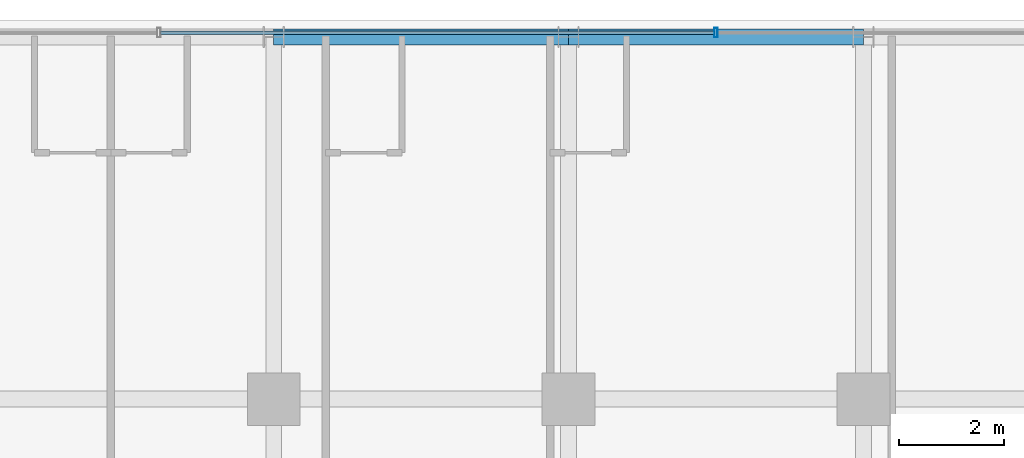
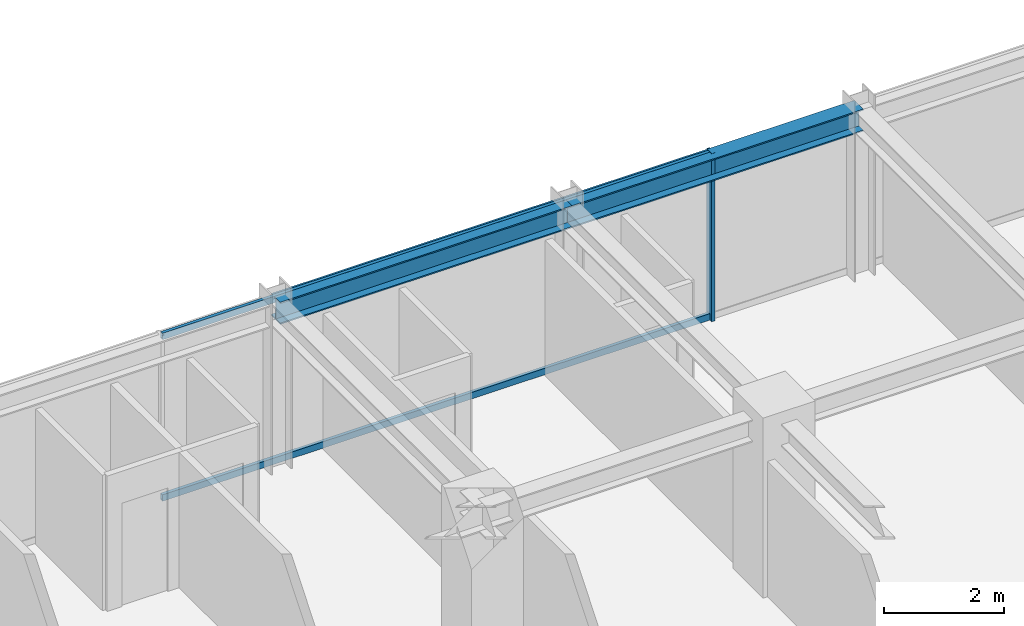
# One storey, part 21 of 34: 3 members, 2 beams, 1 element without a shape of its own.
"""IFC4 building model written with IfcOpenShell, lengths in metres."""

from ifc_helpers import new_model, si_unit, direction, frame, origin, origin_2d, place, context, subcontext, project, spatial, hollow_rectangle, i_section, extrude, source, transform, mapped, material, material_profile, profile_set, type_object, element, aggregate, save


model = new_model("IFC4")

# Units and contexts
model_context = context("Model", 3, precision=1e-05, world=origin(), true_north=direction((0.0, 1.0)))
body_context = subcontext(model_context, "Body", "Model", "MODEL_VIEW")
ifc_project = project(units=[si_unit("LENGTHUNIT", "METRE"), si_unit("AREAUNIT", "SQUARE_METRE"), si_unit("VOLUMEUNIT", "CUBIC_METRE"), si_unit("PLANEANGLEUNIT", "RADIAN"), si_unit("MASSUNIT", "GRAM", prefix="KILO")], contexts=[model_context])

# Site, building, storey
site_placement = place(None, origin())
site = spatial("IfcSite", under=ifc_project, at=site_placement, CompositionType="ELEMENT")
building_placement = place(site_placement, origin())
building = spatial("IfcBuilding", under=site, at=building_placement, Name="Nahalor Promenade Grand Hotel", CompositionType="ELEMENT")
storey_placement = place(building_placement, frame((0.0, 0.0, 208.60009765625)))
storey = spatial("IfcBuildingStorey", under=building, at=storey_placement, Name="L53", CompositionType="ELEMENT", Elevation=208.60009765625)

# Beams
ifc_material_1 = material(Name="Steel S355JR", Category="steel")
ifc_material_profile_1 = material_profile(ifc_material_1, i_section(OverallWidth=0.3, OverallDepth=0.45, WebThickness=0.014, FlangeThickness=0.026, at=origin_2d()), Name="HEB 450")
ifc_profile_set_1 = profile_set([ifc_material_profile_1], Name="Steel S355JR")
beam_type = type_object("IfcBeamType", Name="Beam-Spandrel-HEB450", PredefinedType="SPANDREL", material=ifc_profile_set_1)
shared_shape_1 = source(origin(), body_context, "Body", "SweptSolid", [
    extrude(i_section(OverallWidth=0.3, OverallDepth=0.45, WebThickness=0.014, FlangeThickness=0.026, at=origin_2d()), origin(), (0.0, 0.0, 1.0), 5.599853515625),
])
beam_1_placement = place(storey_placement, frame((-8.39990234375, 23.8798828125, 3.184814453125), z_axis=(1.0, 0.0, 0.0), x_axis=(0.0, 1.0, 0.0)))
element("IfcBeam", 1, at=beam_1_placement, inside=storey, type_object=beam_type, Name="BM-L53-SP-N-1", PredefinedType="SPANDREL", context=body_context, shape_type="MappedRepresentation", body=[
    mapped(shared_shape_1, transform((0.0, 0.0, 0.0), scale=1.0)),
])
shared_shape_2 = source(origin(), body_context, "Body", "SweptSolid", [
    extrude(i_section(OverallWidth=0.3, OverallDepth=0.45, WebThickness=0.014, FlangeThickness=0.026, at=origin_2d()), origin(), (0.0, 0.0, 1.0), 5.60009765625),
])
beam_2_placement = place(storey_placement, frame((-2.800048828125, 23.8798828125, 3.184814453125), z_axis=(1.0, 0.0, 0.0), x_axis=(0.0, 1.0, 0.0)))
element("IfcBeam", 2, at=beam_2_placement, inside=storey, type_object=beam_type, Name="BM-L53-SP-N-2", PredefinedType="SPANDREL", context=body_context, shape_type="MappedRepresentation", body=[
    mapped(shared_shape_2, transform((0.0, 0.0, 0.0), scale=1.0)),
])

# Curtain wall, members
ifc_material_2 = material(Name="Anodised Bronze Aluminium EN AW-6063 T6", Category="aluminium")
curtain_wall_type = type_object("IfcCurtainWallType", Name="CW2 Typical Hotel Flush Bronze Unitised Curtain Wall", PredefinedType="USERDEFINED", material=ifc_material_2)
curtain_wall_placement = place(storey_placement, origin())
curtain_wall = element("IfcCurtainWall", 3, at=curtain_wall_placement, inside=storey, type_object=curtain_wall_type, Name="L53 Curtain Wall CW-L53-N-1", ObjectType="UNITISED_CURTAIN_WALL", PredefinedType="USERDEFINED")
ifc_material_profile_2 = material_profile(ifc_material_2, hollow_rectangle(XDim=0.065, YDim=0.13, WallThickness=0.004, at=origin_2d()), Name="CWT 65x130x4")
ifc_profile_set_2 = profile_set([ifc_material_profile_2], Name="Anodised Bronze Aluminium EN AW-6063 T6")
member_type_1 = type_object("IfcMemberType", Name="CWT2 Typical Bronze Transom 65x130", PredefinedType="USERDEFINED", material=ifc_profile_set_2)
shared_shape_3 = source(origin(), body_context, "Body", "SweptSolid", [
    extrude(hollow_rectangle(XDim=0.065, YDim=0.13, WallThickness=0.004, at=origin_2d()), origin(), (0.0, 0.0, 1.0), 10.51513671875),
])
member_1_placement = place(storey_placement, frame((-10.547607421875, 23.9599609375, 0.06494140625), z_axis=(1.0, 0.0, 0.0), x_axis=(0.0, 1.0, 0.0)))
member_1 = element("IfcMember", 4, at=member_1_placement, type_object=member_type_1, Name="CW-L53-N-1 Transom 1-0", ObjectType="TRANSOM", PredefinedType="USERDEFINED", context=body_context, shape_type="MappedRepresentation", body=[
    mapped(shared_shape_3, transform((0.0, 0.0, 0.0), scale=1.0)),
])
member_2_placement = place(storey_placement, frame((-10.547607421875, 23.9599609375, 3.344970703125), z_axis=(1.0, 0.0, 0.0), x_axis=(0.0, 1.0, 0.0)))
member_2 = element("IfcMember", 5, at=member_2_placement, type_object=member_type_1, Name="CW-L53-N-1 Transom 1-1", ObjectType="TRANSOM", PredefinedType="USERDEFINED", context=body_context, shape_type="MappedRepresentation", body=[
    mapped(shared_shape_3, transform((0.0, 0.0, 0.0), scale=1.0)),
])
ifc_material_profile_3 = material_profile(ifc_material_2, hollow_rectangle(XDim=0.065, YDim=0.18, WallThickness=0.004, at=origin_2d()), Name="CWM 65x180x4")
ifc_profile_set_3 = profile_set([ifc_material_profile_3], Name="Anodised Bronze Aluminium EN AW-6063 T6")
member_type_2 = type_object("IfcMemberType", Name="CWM2 Typical Bronze Mullion 65x180", PredefinedType="MULLION", material=ifc_profile_set_3)
shared_shape_4 = source(origin(), body_context, "Body", "SweptSolid", [
    extrude(hollow_rectangle(XDim=0.065, YDim=0.18, WallThickness=0.004, at=origin_2d()), origin(), (0.0, 0.0, 1.0), 3.409912109375),
])
member_3_placement = place(storey_placement, frame((0.0, 23.9599609375, 0.0), z_axis=(0.0, 0.0, 1.0), x_axis=(1.0, 0.0, 0.0)))
member_3 = element("IfcMember", 6, at=member_3_placement, type_object=member_type_2, Name="CW-L53-N-1 Mullion 2", PredefinedType="MULLION", context=body_context, shape_type="MappedRepresentation", body=[
    mapped(shared_shape_4, transform((0.0, 0.0, 0.0), scale=1.0)),
])
aggregate(curtain_wall, [member_3, member_1, member_2])

save(model, "model.ifc")
